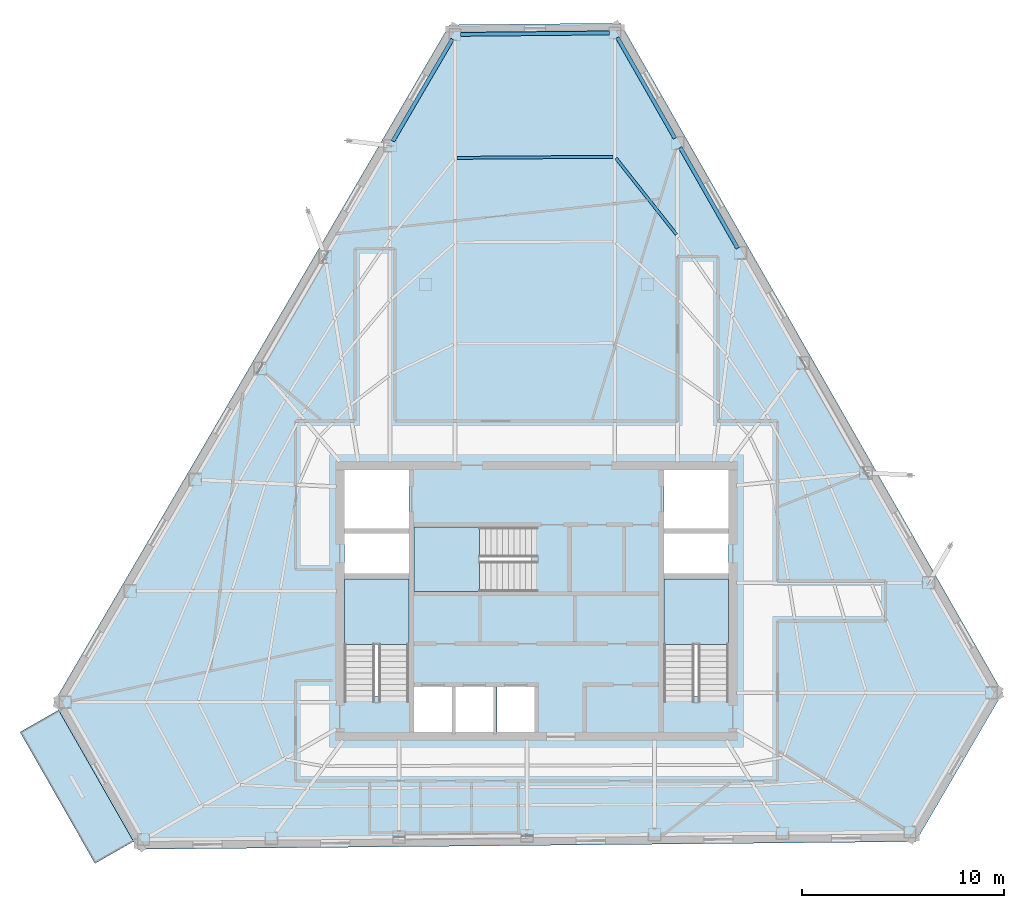
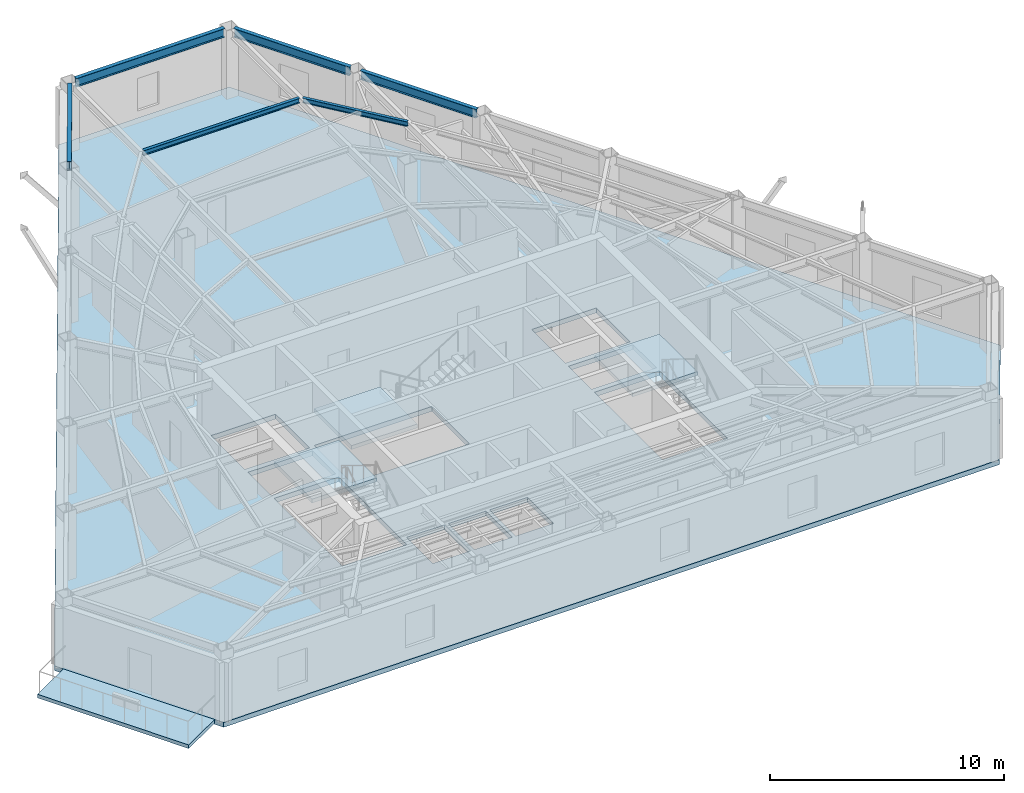
# One storey, part 3 of 11: 6 beams, 5 slabs, 3 elements without a shape of their own.
"""IFC4 building model written with IfcOpenShell, lengths in metres."""

from ifc_helpers import new_model, si_unit, direction, frame, origin, origin_2d, place, context, subcontext, project, spatial, polyline, i_section, outline, extrude, material, layer, layer_set, material_profile, profile_set, type_object, element, aggregate, save


model = new_model("IFC4")

# Units and contexts
model_context = context("Model", 3, precision=1e-05, world=origin(), true_north=direction((0.0, 1.0)))
body_context = subcontext(model_context, "Body", "Model", "MODEL_VIEW")
ifc_project = project(units=[si_unit("LENGTHUNIT", "METRE"), si_unit("AREAUNIT", "SQUARE_METRE"), si_unit("VOLUMEUNIT", "CUBIC_METRE"), si_unit("PLANEANGLEUNIT", "RADIAN"), si_unit("MASSUNIT", "GRAM", prefix="KILO")], contexts=[model_context])

# Site, building, storey
site_placement = place(None, origin())
site = spatial("IfcSite", under=ifc_project, at=site_placement, CompositionType="ELEMENT")
building_placement = place(site_placement, origin())
building = spatial("IfcBuilding", under=site, at=building_placement, Name="Kavelnor Concourse Tower", CompositionType="ELEMENT")
storey_placement = place(building_placement, frame((0.0, 0.0, 218.89990234375)))
storey = spatial("IfcBuildingStorey", under=building, at=storey_placement, Name="L55", CompositionType="ELEMENT", Elevation=218.89990234375)

# Beams
ifc_material_1 = material(Name="Steel Grade 350", Category="steel")
ifc_material_profile_1 = material_profile(ifc_material_1, i_section(OverallWidth=0.14599609375, OverallDepth=0.256103515625, WebThickness=0.00634765625, FlangeThickness=0.010986328125, at=origin_2d()), Name="250UB37")
ifc_profile_set_1 = profile_set([ifc_material_profile_1], Name="Steel Grade 350")
beam_type_1 = type_object("IfcBeamType", Name="BM-JOIST-250", PredefinedType="JOIST", material=ifc_profile_set_1)
beam_1_placement = place(storey_placement, frame((44.94140625, 34.26416015625, 3.47216796875), z_axis=(-0.621175358882, 0.783671598004, 0.0), x_axis=(-0.783671598004, -0.621175358882, 0.0)))
element("IfcBeam", 1, at=beam_1_placement, inside=storey, type_object=beam_type_1, Name="L55 Secondary Composite Joist 14-3", PredefinedType="JOIST", context=body_context, shape_type="SweptSolid", body=[
    extrude(i_section(OverallWidth=0.14599609375, OverallDepth=0.256103515625, WebThickness=0.00634765625, FlangeThickness=0.010986328125, at=origin_2d()), origin(), (0.0, 0.0, 1.0), 4.830322265625),
])
beam_2_placement = place(storey_placement, frame((41.79638671875, 38.11865234375, 3.47216796875), z_axis=(-0.9999748005, -0.00709918058, 0.0), x_axis=(0.00709918058, -0.9999748005, 0.0)))
element("IfcBeam", 2, at=beam_2_placement, inside=storey, type_object=beam_type_1, Name="L55 Secondary Composite Joist 15-3", PredefinedType="JOIST", context=body_context, shape_type="SweptSolid", body=[
    extrude(i_section(OverallWidth=0.14599609375, OverallDepth=0.256103515625, WebThickness=0.00634765625, FlangeThickness=0.010986328125, at=origin_2d()), origin(), (0.0, 0.0, 1.0), 7.73779296875),
])
ifc_material_profile_2 = material_profile(ifc_material_1, i_section(OverallWidth=0.19091796875, OverallDepth=0.4599609375, WebThickness=0.010009765625, FlangeThickness=0.01611328125, at=origin_2d()), Name="460UB82")
ifc_profile_set_2 = profile_set([ifc_material_profile_2], Name="Steel Grade 350")
beam_type_2 = type_object("IfcBeamType", Name="BM-SPANDREL-Z3", PredefinedType="SPANDREL", material=ifc_profile_set_2)
beam_3_placement = place(storey_placement, frame((33.836181640625, 43.952392578125, 3.3701171875), z_axis=(-0.504205265523, -0.863583840874, 0.0), x_axis=(0.863583840874, -0.504205265523, 0.0)))
element("IfcBeam", 3, at=beam_3_placement, inside=storey, type_object=beam_type_2, Name="L55 Perimeter Tube Spandrel Beam F0-B0", PredefinedType="SPANDREL", context=body_context, shape_type="SweptSolid", body=[
    extrude(i_section(OverallWidth=0.19091796875, OverallDepth=0.4599609375, WebThickness=0.010009765625, FlangeThickness=0.01611328125, at=origin_2d()), origin(), (0.0, 0.0, 1.0), 5.85791015625),
])
beam_4_placement = place(storey_placement, frame((41.62060546875, 44.256591796875, 3.3701171875), z_axis=(-0.999951160368, -0.009883161343, 0.0), x_axis=(0.009883161343, -0.999951160368, 0.0)))
element("IfcBeam", 4, at=beam_4_placement, inside=storey, type_object=beam_type_2, Name="L55 Chamfer Facet Spandrel Beam C0", PredefinedType="SPANDREL", context=body_context, shape_type="SweptSolid", body=[
    extrude(i_section(OverallWidth=0.19091796875, OverallDepth=0.4599609375, WebThickness=0.010009765625, FlangeThickness=0.01611328125, at=origin_2d()), origin(), (0.0, 0.0, 1.0), 7.385986328125),
])
for number, where, z_axis, x_axis, name in (
    (5, (47.9765625, 33.5869140625, 3.3701171875), (-0.495685903124, 0.86850186266, 0.0), (-0.86850186266, -0.495685903124, 0.0), "L55 Perimeter Tube Spandrel Beam F2-B4"),
    (6, (44.865234375, 39.0380859375, 3.3701171875), (-0.495685903124, 0.86850186266, 0.0), (-0.86850186266, -0.495685903124, 0.0), "L55 Perimeter Tube Spandrel Beam F2-B5"),
):
    element("IfcBeam", number, at=place(storey_placement, frame(where, z_axis=z_axis, x_axis=x_axis)), inside=storey, type_object=beam_type_2, Name=name, PredefinedType="SPANDREL", context=body_context, shape_type="SweptSolid", body=[
        extrude(i_section(OverallWidth=0.19091796875, OverallDepth=0.4599609375, WebThickness=0.010009765625, FlangeThickness=0.01611328125, at=origin_2d()), origin(), (0.0, 0.0, 1.0), 5.746337890625),
    ])

# Stair, slab
ifc_material_2 = material(Name="Concrete C40/50", Category="concrete")
stair_type = type_object("IfcStairType", Name="STR-CORE-1500", PredefinedType="HALF_TURN_STAIR", material=ifc_material_2)
stair_1_placement = place(storey_placement, origin())
stair_1 = element("IfcStair", 7, at=stair_1_placement, inside=storey, type_object=stair_type, Name="L55 ST1", PredefinedType="HALF_TURN_STAIR")
ifc_layer_1 = layer(ifc_material_2, 0.199951171875, Name="Concrete C40/50")
ifc_layer_set_1 = layer_set([ifc_layer_1], Name="Concrete C40/50")
slab_type_1 = type_object("IfcSlabType", Name="SLB-LANDING-200", PredefinedType="LANDING", material=ifc_layer_set_1)
slab_1_placement = place(storey_placement, frame((0.0, 0.0, 1.72509765625)))
slab_1 = element("IfcSlab", 8, at=slab_1_placement, type_object=slab_type_1, Name="ST1 landing 1", PredefinedType="LANDING", context=body_context, shape_type="SweptSolid", body=[
    extrude(outline(polyline([(31.679931640625, 13.949951171875), (31.679931640625, 17.199951171875), (28.47998046875, 17.199951171875), (28.47998046875, 13.949951171875), (31.679931640625, 13.949951171875)])), origin(), (0.0, 0.0, 1.0), 0.199951171875),
])
aggregate(stair_1, [slab_1])

stair_2_placement = place(storey_placement, origin())
stair_2 = element("IfcStair", 9, at=stair_2_placement, inside=storey, type_object=stair_type, Name="L55 ST2", PredefinedType="HALF_TURN_STAIR")
slab_2_placement = place(storey_placement, frame((0.0, 0.0, 1.72509765625)))
slab_2 = element("IfcSlab", 10, at=slab_2_placement, type_object=slab_type_1, Name="ST2 landing 1", PredefinedType="LANDING", context=body_context, shape_type="SweptSolid", body=[
    extrude(outline(polyline([(47.52001953125, 13.949951171875), (47.52001953125, 17.199951171875), (44.320068359375, 17.199951171875), (44.320068359375, 13.949951171875), (47.52001953125, 13.949951171875)])), origin(), (0.0, 0.0, 1.0), 0.199951171875),
])
aggregate(stair_2, [slab_2])

stair_3_placement = place(storey_placement, origin())
stair_3 = element("IfcStair", 11, at=stair_3_placement, inside=storey, type_object=stair_type, Name="L55 ST3", PredefinedType="HALF_TURN_STAIR")
slab_3_placement = place(storey_placement, frame((0.0, 0.0, 1.72509765625)))
slab_3 = element("IfcSlab", 12, at=slab_3_placement, type_object=slab_type_1, Name="ST3 landing 1", PredefinedType="LANDING", context=body_context, shape_type="SweptSolid", body=[
    extrude(outline(polyline([(35.18994140625, 19.760009765625), (31.93994140625, 19.760009765625), (31.93994140625, 16.56005859375), (35.18994140625, 16.56005859375), (35.18994140625, 19.760009765625)])), origin(), (0.0, 0.0, 1.0), 0.199951171875),
])
aggregate(stair_3, [slab_3])

# Slabs
ifc_layer_2 = layer(ifc_material_2, 0.25, Name="Concrete C40/50")
ifc_layer_set_2 = layer_set([ifc_layer_2], Name="Concrete C40/50")
slab_type_2 = type_object("IfcSlabType", Name="SLB-OFFICE-250", PredefinedType="FLOOR", material=ifc_layer_set_2)
slab_4_placement = place(storey_placement, frame((0.0, 0.0, -0.25)))
element("IfcSlab", 13, at=slab_4_placement, inside=storey, type_object=slab_type_2, Name="L55 Composite Structural Floor Slab", PredefinedType="FLOOR", context=body_context, shape_type="SweptSolid", body=[
    extrude(outline(polyline([(42.16259765625, 44.741943359375), (33.692626953125, 44.658447265625), (14.090087890625, 11.085693359375), (18.252685546875, 3.792236328125), (56.7998046875, 4.17236328125), (61.10693359375, 11.54931640625), (42.16259765625, 44.741943359375)]), holes=[polyline([(28.47998046875, 11.3798828125), (31.679931640625, 11.3798828125), (31.679931640625, 17.199951171875), (28.47998046875, 17.199951171875), (28.47998046875, 11.3798828125)]), polyline([(44.320068359375, 11.3798828125), (47.52001953125, 11.3798828125), (47.52001953125, 17.199951171875), (44.320068359375, 17.199951171875), (44.320068359375, 11.3798828125)]), polyline([(31.93994140625, 16.56005859375), (37.760009765625, 16.56005859375), (37.760009765625, 19.760009765625), (31.93994140625, 19.760009765625), (31.93994140625, 16.56005859375)]), polyline([(28.47998046875, 19.699951171875), (31.679931640625, 19.699951171875), (31.679931640625, 22.60009765625), (28.47998046875, 22.60009765625), (28.47998046875, 19.699951171875)]), polyline([(44.320068359375, 19.699951171875), (47.52001953125, 19.699951171875), (47.52001953125, 22.60009765625), (44.320068359375, 22.60009765625), (44.320068359375, 19.699951171875)]), polyline([(31.93994140625, 9.60009765625), (33.81005859375, 9.60009765625), (33.81005859375, 11.840087890625), (31.93994140625, 11.840087890625), (31.93994140625, 9.60009765625)]), polyline([(33.989990234375, 9.60009765625), (35.860107421875, 9.60009765625), (35.860107421875, 11.840087890625), (33.989990234375, 11.840087890625), (33.989990234375, 9.60009765625)]), polyline([(36.0400390625, 9.60009765625), (37.909912109375, 9.60009765625), (37.909912109375, 11.840087890625), (36.0400390625, 11.840087890625), (36.0400390625, 9.60009765625)]), polyline([(28.47998046875, 17.4599609375), (31.679931640625, 17.4599609375), (31.679931640625, 19.43994140625), (28.47998046875, 19.43994140625), (28.47998046875, 17.4599609375)]), polyline([(44.320068359375, 17.4599609375), (47.52001953125, 17.4599609375), (47.52001953125, 19.43994140625), (44.320068359375, 19.43994140625), (44.320068359375, 17.4599609375)])]), origin(), (0.0, 0.0, 1.0), 0.25),
])
ifc_layer_3 = layer(ifc_material_2, 0.18994140625, Name="Concrete C40/50")
ifc_layer_set_3 = layer_set([ifc_layer_3], Name="Concrete C40/50")
slab_type_3 = type_object("IfcSlabType", Name="SLB-TERRACE-190", PredefinedType="FLOOR", material=ifc_layer_set_3)
slab_5_placement = place(storey_placement, frame((0.0, 0.0, -0.18994140625)))
element("IfcSlab", 14, at=slab_5_placement, inside=storey, type_object=slab_type_3, Name="L55 Spiralling Sky Terrace Slab", PredefinedType="FLOOR", context=body_context, shape_type="SweptSolid", body=[
    extrude(outline(polyline([(16.118896484375, 3.092529296875), (12.402587890625, 9.6044921875), (14.313232421875, 10.69482421875), (18.029541015625, 4.18310546875), (16.118896484375, 3.092529296875)])), origin(), (0.0, 0.0, 1.0), 0.18994140625),
])

save(model, "model.ifc")
